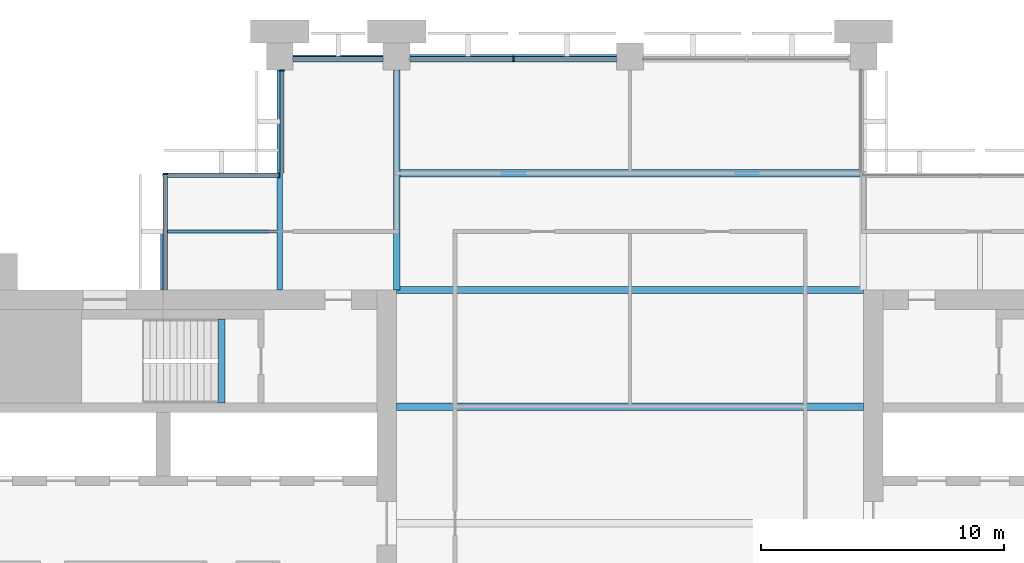
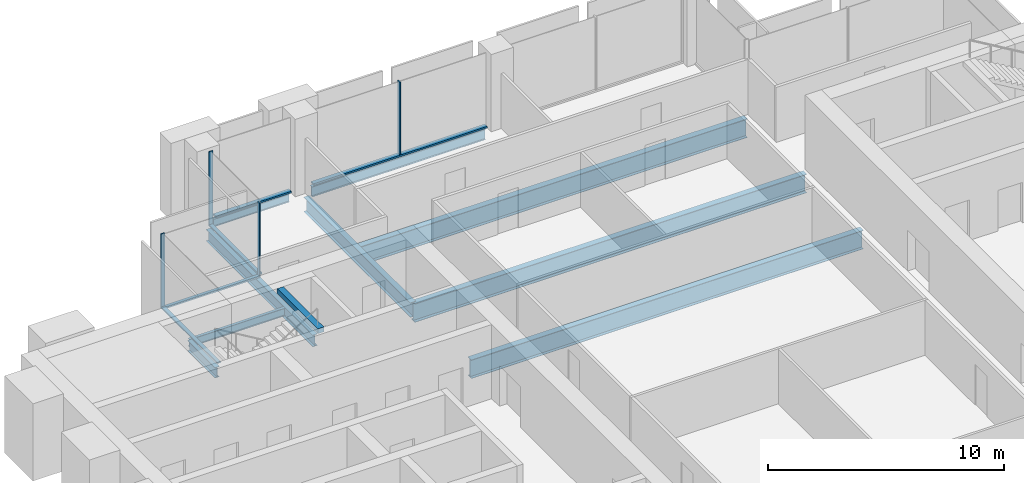
# One storey, part 5 of 13: 10 beams, 9 members, 4 elements without a shape of their own.
"""IFC4 building model written with IfcOpenShell, lengths in metres."""

from ifc_helpers import new_model, si_unit, direction, frame, origin, origin_2d, place, context, subcontext, project, spatial, rectangle, i_section, extrude, material, material_profile, profile_set, type_object, element, aggregate, save


model = new_model("IFC4")

# Units and contexts
model_context = context("Model", 3, precision=1e-05, world=origin(), true_north=direction((0.0, 1.0)))
body_context = subcontext(model_context, "Body", "Model", "MODEL_VIEW")
ifc_project = project(units=[si_unit("LENGTHUNIT", "METRE"), si_unit("AREAUNIT", "SQUARE_METRE"), si_unit("VOLUMEUNIT", "CUBIC_METRE"), si_unit("PLANEANGLEUNIT", "RADIAN"), si_unit("MASSUNIT", "GRAM", prefix="KILO")], contexts=[model_context])

# Site, building, storey
site_placement = place(None, origin())
site = spatial("IfcSite", under=ifc_project, at=site_placement, CompositionType="ELEMENT")
building_placement = place(site_placement, origin())
building = spatial("IfcBuilding", under=site, at=building_placement, Name="Baori Bourse Tower", CompositionType="ELEMENT")
storey_placement = place(building_placement, frame((0.0, 0.0, 217.199951171875)))
storey = spatial("IfcBuildingStorey", under=building, at=storey_placement, Name="L47", CompositionType="ELEMENT", Elevation=217.199951171875)

# Curtain wall, member
ifc_material_1 = material(Name="Pale anodised aluminium", Category="aluminium")
curtain_wall_type_1 = type_object("IfcCurtainWallType", Name="CW2 Curtain wall", PredefinedType="NOTDEFINED", material=ifc_material_1)
curtain_wall_1_placement = place(storey_placement, origin())
curtain_wall_1 = element("IfcCurtainWall", 1, at=curtain_wall_1_placement, inside=storey, type_object=curtain_wall_type_1, Name="Curtain wall CW2 L47 5", PredefinedType="NOTDEFINED")
ifc_material_2 = material(Name="Pale anodised aluminium", Category="aluminium")
ifc_material_profile_1 = material_profile(ifc_material_2, rectangle(XDim=0.179931640625, YDim=0.054931640625, at=origin_2d()), Name="Mullion 55x180")
ifc_profile_set_1 = profile_set([ifc_material_profile_1], Name="Pale anodised aluminium")
member_type_1 = type_object("IfcMemberType", Name="CW2 Curtain wall mullion", PredefinedType="MULLION", material=ifc_profile_set_1)
member_1_placement = place(storey_placement, frame((14.489990234375, 47.422607421875, 0.070068359375), z_axis=(0.0, 0.0, 1.0), x_axis=(1.0, 0.0, 0.0)))
member_1 = element("IfcMember", 2, at=member_1_placement, type_object=member_type_1, Name="Curtain wall CW2 mullion", PredefinedType="MULLION", context=body_context, shape_type="SweptSolid", body=[
    extrude(rectangle(XDim=0.179931640625, YDim=0.054931640625, at=origin_2d()), origin(), (0.0, 0.0, 1.0), 3.77001953125),
])

curtain_wall_2_placement = place(storey_placement, origin())
curtain_wall_2 = element("IfcCurtainWall", 3, at=curtain_wall_2_placement, inside=storey, type_object=curtain_wall_type_1, Name="Curtain wall CW2 L47 6", PredefinedType="NOTDEFINED")
member_2_placement = place(storey_placement, frame((14.37255859375, 43.110107421875, 0.070068359375), z_axis=(0.0, 0.0, 1.0), x_axis=(0.0, -1.0, 0.0)))
member_2 = element("IfcMember", 4, at=member_2_placement, type_object=member_type_1, Name="Curtain wall CW2 mullion", PredefinedType="MULLION", context=body_context, shape_type="SweptSolid", body=[
    extrude(rectangle(XDim=0.179931640625, YDim=0.054931640625, at=origin_2d()), origin(), (0.0, 0.0, 1.0), 3.77001953125),
])

curtain_wall_3_placement = place(storey_placement, origin())
curtain_wall_3 = element("IfcCurtainWall", 5, at=curtain_wall_3_placement, inside=storey, type_object=curtain_wall_type_1, Name="Curtain wall CW2 L47 7", PredefinedType="NOTDEFINED")
member_3_placement = place(storey_placement, frame((9.68994140625, 43.172607421875, 0.070068359375), z_axis=(0.0, 0.0, 1.0), x_axis=(1.0, 0.0, 0.0)))
member_3 = element("IfcMember", 6, at=member_3_placement, type_object=member_type_1, Name="Curtain wall CW2 mullion", PredefinedType="MULLION", context=body_context, shape_type="SweptSolid", body=[
    extrude(rectangle(XDim=0.179931640625, YDim=0.054931640625, at=origin_2d()), origin(), (0.0, 0.0, 1.0), 3.77001953125),
])

# Member
ifc_material_3 = material(Name="Pale anodised aluminium", Category="aluminium")
ifc_material_profile_2 = material_profile(ifc_material_3, rectangle(XDim=0.179931640625, YDim=0.070068359375, at=origin_2d()), Name="Transom 70x180")
ifc_profile_set_2 = profile_set([ifc_material_profile_2], Name="Pale anodised aluminium")
member_type_2 = type_object("IfcMemberType", Name="CW2 Curtain wall transom", PredefinedType="USERDEFINED", material=ifc_profile_set_2)
member_4_placement = place(storey_placement, frame((14.489990234375, 47.449951171875, 0.03515625), z_axis=(0.0, -1.0, 0.0), x_axis=(1.0, 0.0, 0.0)))
member_4 = element("IfcMember", 7, at=member_4_placement, type_object=member_type_2, Name="Curtain wall CW2 sill rail", ObjectType="TRANSOM", PredefinedType="USERDEFINED", context=body_context, shape_type="SweptSolid", body=[
    extrude(rectangle(XDim=0.179931640625, YDim=0.070068359375, at=origin_2d()), origin(), (0.0, 0.0, 1.0), 4.25),
])

aggregate(curtain_wall_1, [member_4, member_1])

member_5_placement = place(storey_placement, frame((14.39990234375, 43.110107421875, 0.03515625), z_axis=(-1.0, 0.0, 0.0), x_axis=(0.0, -1.0, 0.0)))
member_5 = element("IfcMember", 8, at=member_5_placement, type_object=member_type_2, Name="Curtain wall CW2 sill rail", ObjectType="TRANSOM", PredefinedType="USERDEFINED", context=body_context, shape_type="SweptSolid", body=[
    extrude(rectangle(XDim=0.179931640625, YDim=0.070068359375, at=origin_2d()), origin(), (0.0, 0.0, 1.0), 4.7998046875),
])

aggregate(curtain_wall_2, [member_5, member_2])

member_6_placement = place(storey_placement, frame((9.68994140625, 43.199951171875, 0.03515625), z_axis=(0.0, -1.0, 0.0), x_axis=(1.0, 0.0, 0.0)))
member_6 = element("IfcMember", 9, at=member_6_placement, type_object=member_type_2, Name="Curtain wall CW2 sill rail", ObjectType="TRANSOM", PredefinedType="USERDEFINED", context=body_context, shape_type="SweptSolid", body=[
    extrude(rectangle(XDim=0.179931640625, YDim=0.070068359375, at=origin_2d()), origin(), (0.0, 0.0, 1.0), 4.800048828125),
])

aggregate(curtain_wall_3, [member_6, member_3])

# Curtain wall, members
ifc_material_4 = material(Name="Pale anodised aluminium", Category="aluminium")
curtain_wall_type_2 = type_object("IfcCurtainWallType", Name="CW5 Curtain wall", PredefinedType="NOTDEFINED", material=ifc_material_4)
curtain_wall_4_placement = place(storey_placement, origin())
curtain_wall_4 = element("IfcCurtainWall", 10, at=curtain_wall_4_placement, inside=storey, type_object=curtain_wall_type_2, Name="Curtain wall CW5 L47 4", PredefinedType="NOTDEFINED")
ifc_material_5 = material(Name="Pale anodised aluminium", Category="aluminium")
ifc_material_profile_3 = material_profile(ifc_material_5, rectangle(XDim=0.219970703125, YDim=0.06494140625, at=origin_2d()), Name="Mullion 65x220")
ifc_profile_set_3 = profile_set([ifc_material_profile_3], Name="Pale anodised aluminium")
member_type_3 = type_object("IfcMemberType", Name="CW5 Curtain wall mullion", PredefinedType="MULLION", material=ifc_profile_set_3)
member_7_placement = place(storey_placement, frame((24.0, 47.889892578125, 0.0849609375), z_axis=(0.0, 0.0, 1.0), x_axis=(0.0, -1.0, 0.0)))
member_7 = element("IfcMember", 11, at=member_7_placement, type_object=member_type_3, Name="Curtain wall CW5 mullion", PredefinedType="MULLION", context=body_context, shape_type="SweptSolid", body=[
    extrude(rectangle(XDim=0.219970703125, YDim=0.06494140625, at=origin_2d()), origin(), (0.0, 0.0, 1.0), 3.755126953125),
])
ifc_material_6 = material(Name="Pale anodised aluminium", Category="aluminium")
ifc_material_profile_4 = material_profile(ifc_material_6, rectangle(XDim=0.219970703125, YDim=0.0849609375, at=origin_2d()), Name="Transom 85x220")
ifc_profile_set_4 = profile_set([ifc_material_profile_4], Name="Pale anodised aluminium")
member_type_4 = type_object("IfcMemberType", Name="CW5 Curtain wall transom", PredefinedType="USERDEFINED", material=ifc_profile_set_4)
member_8_placement = place(storey_placement, frame((28.25, 47.889892578125, 0.04248046875), z_axis=(-1.0, 0.0, 0.0), x_axis=(0.0, -1.0, 0.0)))
member_8 = element("IfcMember", 12, at=member_8_placement, type_object=member_type_4, Name="Curtain wall CW5 sill rail", ObjectType="TRANSOM", PredefinedType="USERDEFINED", context=body_context, shape_type="SweptSolid", body=[
    extrude(rectangle(XDim=0.219970703125, YDim=0.0849609375, at=origin_2d()), origin(), (0.0, 0.0, 1.0), 8.5),
])
member_9_placement = place(storey_placement, frame((18.64990234375, 47.889892578125, 0.04248046875), z_axis=(-1.0, 0.0, 0.0), x_axis=(0.0, -1.0, 0.0)))
member_9 = element("IfcMember", 13, at=member_9_placement, type_object=member_type_4, Name="Curtain wall CW5 sill rail", ObjectType="TRANSOM", PredefinedType="USERDEFINED", context=body_context, shape_type="SweptSolid", body=[
    extrude(rectangle(XDim=0.219970703125, YDim=0.0849609375, at=origin_2d()), origin(), (0.0, 0.0, 1.0), 3.699951171875),
])
aggregate(curtain_wall_4, [member_8, member_7, member_9])

# Beams
ifc_material_7 = material(Name="Steel A992 Gr 50", Category="steel")
ifc_material_profile_5 = material_profile(ifc_material_7, i_section(OverallWidth=0.21240234375, OverallDepth=0.54345703125, WebThickness=0.01318359375, FlangeThickness=0.021240234375, at=origin_2d()), Name="W21x83")
ifc_profile_set_5 = profile_set([ifc_material_profile_5], Name="Steel A992 Gr 50")
beam_type_1 = type_object("IfcBeamType", Name="Core bracket W21x83", PredefinedType="BEAM", material=ifc_profile_set_5)
beam_1_placement = place(storey_placement, frame((9.60009765625, 38.39990234375, -0.431640625), z_axis=(0.0, 1.0, 0.0), x_axis=(-1.0, 0.0, 0.0)))
element("IfcBeam", 14, at=beam_1_placement, inside=storey, type_object=beam_type_1, Name="Core bracket L47", PredefinedType="BEAM", context=body_context, shape_type="SweptSolid", body=[
    extrude(i_section(OverallWidth=0.21240234375, OverallDepth=0.54345703125, WebThickness=0.01318359375, FlangeThickness=0.021240234375, at=origin_2d()), origin(), (0.0, 0.0, 1.0), 2.329833984375),
])
ifc_material_8 = material(Name="Steel A992 Gr 50", Category="steel")
ifc_material_profile_6 = material_profile(ifc_material_8, i_section(OverallWidth=0.140380859375, OverallDepth=0.40380859375, WebThickness=0.007080078125, FlangeThickness=0.01123046875, at=origin_2d()), Name="W16x31")
ifc_profile_set_6 = profile_set([ifc_material_profile_6], Name="Steel A992 Gr 50")
beam_type_2 = type_object("IfcBeamType", Name="Edge beam W16x31", PredefinedType="BEAM", material=ifc_profile_set_6)
beam_2_placement = place(storey_placement, frame((14.949951171875, 48.0, -0.36181640625), z_axis=(1.0, 0.0, 0.0), x_axis=(0.0, 1.0, 0.0)))
element("IfcBeam", 15, at=beam_2_placement, inside=storey, type_object=beam_type_2, Name="Edge beam L47", PredefinedType="BEAM", context=body_context, shape_type="SweptSolid", body=[
    extrude(i_section(OverallWidth=0.140380859375, OverallDepth=0.40380859375, WebThickness=0.007080078125, FlangeThickness=0.01123046875, at=origin_2d()), origin(), (0.0, 0.0, 1.0), 3.699951171875),
])
ifc_material_9 = material(Name="Steel A992 Gr 50", Category="steel")
ifc_material_profile_7 = material_profile(ifc_material_9, i_section(OverallWidth=0.1650390625, OverallDepth=0.52587890625, WebThickness=0.0087890625, FlangeThickness=0.011474609375, at=origin_2d()), Name="W21x44")
ifc_profile_set_7 = profile_set([ifc_material_profile_7], Name="Steel A992 Gr 50")
beam_type_3 = type_object("IfcBeamType", Name="Edge beam W21x44", PredefinedType="BEAM", material=ifc_profile_set_7)
beam_3_placement = place(storey_placement, frame((19.75, 48.0, -0.4228515625), z_axis=(1.0, 0.0, 0.0), x_axis=(0.0, 1.0, 0.0)))
element("IfcBeam", 16, at=beam_3_placement, inside=storey, type_object=beam_type_3, Name="Edge beam L47", PredefinedType="BEAM", context=body_context, shape_type="SweptSolid", body=[
    extrude(i_section(OverallWidth=0.1650390625, OverallDepth=0.52587890625, WebThickness=0.0087890625, FlangeThickness=0.011474609375, at=origin_2d()), origin(), (0.0, 0.0, 1.0), 8.5),
])
ifc_material_10 = material(Name="Steel A992 Gr 50", Category="steel")
ifc_material_profile_8 = material_profile(ifc_material_10, i_section(OverallWidth=0.227783203125, OverallDepth=0.60205078125, WebThickness=0.010498046875, FlangeThickness=0.014892578125, at=origin_2d()), Name="W24x68")
ifc_profile_set_8 = profile_set([ifc_material_profile_8], Name="Steel A992 Gr 50")
beam_type_4 = type_object("IfcBeamType", Name="Floor beam W24x68", PredefinedType="BEAM", material=ifc_profile_set_8)
beam_4_placement = place(storey_placement, frame((14.39990234375, 38.39990234375, -0.4609375), z_axis=(0.0, 1.0, 0.0), x_axis=(-1.0, 0.0, 0.0)))
element("IfcBeam", 17, at=beam_4_placement, inside=storey, type_object=beam_type_4, Name="Floor beam L47", PredefinedType="BEAM", context=body_context, shape_type="SweptSolid", body=[
    extrude(i_section(OverallWidth=0.227783203125, OverallDepth=0.60205078125, WebThickness=0.010498046875, FlangeThickness=0.014892578125, at=origin_2d()), origin(), (0.0, 0.0, 1.0), 9.050048828125),
])
ifc_material_11 = material(Name="Steel A992 Gr 50", Category="steel")
ifc_material_profile_9 = material_profile(ifc_material_11, i_section(OverallWidth=0.2998046875, OverallDepth=0.97021484375, WebThickness=0.01611328125, FlangeThickness=0.02099609375, at=origin_2d()), Name="W40x149")
ifc_profile_set_9 = profile_set([ifc_material_profile_9], Name="Steel A992 Gr 50")
beam_type_5 = type_object("IfcBeamType", Name="Floor beam W40x149", PredefinedType="BEAM", material=ifc_profile_set_9)
for number, where, z_axis, x_axis, name in (
    (18, (19.199951171875, 33.60009765625, -0.64501953125), (1.0, 0.0, 0.0), (0.0, 1.0, 0.0), "Floor beam L47"),
    (19, (19.199951171875, 38.39990234375, -0.64501953125), (1.0, 0.0, 0.0), (0.0, 1.0, 0.0), "Floor beam L47"),
):
    element("IfcBeam", number, at=place(storey_placement, frame(where, z_axis=z_axis, x_axis=x_axis)), inside=storey, type_object=beam_type_5, Name=name, PredefinedType="BEAM", context=body_context, shape_type="SweptSolid", body=[
        extrude(i_section(OverallWidth=0.2998046875, OverallDepth=0.97021484375, WebThickness=0.01611328125, FlangeThickness=0.02099609375, at=origin_2d()), origin(), (0.0, 0.0, 1.0), 19.199951171875),
    ])
beam_5_placement = place(storey_placement, frame((19.333251953125, 43.199951171875, -0.64501953125), z_axis=(1.0, 0.0, 0.0), x_axis=(0.0, 1.0, 0.0)))
element("IfcBeam", 20, at=beam_5_placement, inside=storey, type_object=beam_type_5, Name="Floor beam L47", PredefinedType="BEAM", context=body_context, shape_type="SweptSolid", body=[
    extrude(i_section(OverallWidth=0.2998046875, OverallDepth=0.97021484375, WebThickness=0.01611328125, FlangeThickness=0.02099609375, at=origin_2d()), origin(), (0.0, 0.0, 1.0), 18.933349609375),
])
ifc_material_12 = material(Name="Steel A992 Gr 50", Category="steel")
ifc_material_profile_10 = material_profile(ifc_material_12, i_section(OverallWidth=0.2666015625, OverallDepth=0.7568359375, WebThickness=0.013916015625, FlangeThickness=0.019287109375, at=origin_2d()), Name="W30x108")
ifc_profile_set_10 = profile_set([ifc_material_profile_10], Name="Steel A992 Gr 50")
beam_type_6 = type_object("IfcBeamType", Name="Girder W30x108", PredefinedType="BEAM", material=ifc_profile_set_10)
beam_6_placement = place(storey_placement, frame((19.199951171875, 38.39990234375, -0.538330078125), z_axis=(0.0, 1.0, 0.0), x_axis=(-1.0, 0.0, 0.0)))
element("IfcBeam", 21, at=beam_6_placement, inside=storey, type_object=beam_type_6, Name="Girder L47", PredefinedType="BEAM", context=body_context, shape_type="SweptSolid", body=[
    extrude(i_section(OverallWidth=0.2666015625, OverallDepth=0.7568359375, WebThickness=0.013916015625, FlangeThickness=0.019287109375, at=origin_2d()), origin(), (0.0, 0.0, 1.0), 9.050048828125),
])
ifc_material_13 = material(Name="Concrete f'c 50 MPa", Category="concrete")
ifc_material_profile_11 = material_profile(ifc_material_13, rectangle(XDim=0.300048828125, YDim=0.25, at=origin_2d()), Name="RC 300x250")
ifc_profile_set_11 = profile_set([ifc_material_profile_11], Name="Concrete f'c 50 MPa")
beam_type_7 = type_object("IfcBeamType", Name="Stair nib beam RC 300x250", PredefinedType="BEAM", material=ifc_profile_set_11)
beam_7_placement = place(storey_placement, frame((12.0, 33.75, 3.715087890625), z_axis=(0.0, 1.0, 0.0), x_axis=(-1.0, 0.0, 0.0)))
element("IfcBeam", 22, at=beam_7_placement, inside=storey, type_object=beam_type_7, Name="Stair WB nib beam L48", PredefinedType="BEAM", context=body_context, shape_type="SweptSolid", body=[
    extrude(rectangle(XDim=0.300048828125, YDim=0.25, at=origin_2d()), origin(), (0.0, 0.0, 1.0), 3.449951171875),
])
ifc_material_14 = material(Name="Steel A992 Gr 50", Category="steel")
ifc_material_profile_12 = material_profile(ifc_material_14, i_section(OverallWidth=0.140380859375, OverallDepth=0.40380859375, WebThickness=0.007080078125, FlangeThickness=0.01123046875, at=origin_2d()), Name="W16x31")
ifc_profile_set_12 = profile_set([ifc_material_profile_12], Name="Steel A992 Gr 50")
beam_type_8 = type_object("IfcBeamType", Name="Trimmer beam W16x31", PredefinedType="BEAM", material=ifc_profile_set_12)
beam_8_placement = place(storey_placement, frame((9.60009765625, 40.800048828125, -0.36181640625), z_axis=(1.0, 0.0, 0.0), x_axis=(0.0, 1.0, 0.0)))
element("IfcBeam", 23, at=beam_8_placement, inside=storey, type_object=beam_type_8, Name="Trimmer beam L47", PredefinedType="BEAM", context=body_context, shape_type="SweptSolid", body=[
    extrude(i_section(OverallWidth=0.140380859375, OverallDepth=0.40380859375, WebThickness=0.007080078125, FlangeThickness=0.01123046875, at=origin_2d()), origin(), (0.0, 0.0, 1.0), 4.68603515625),
])

save(model, "model.ifc")
